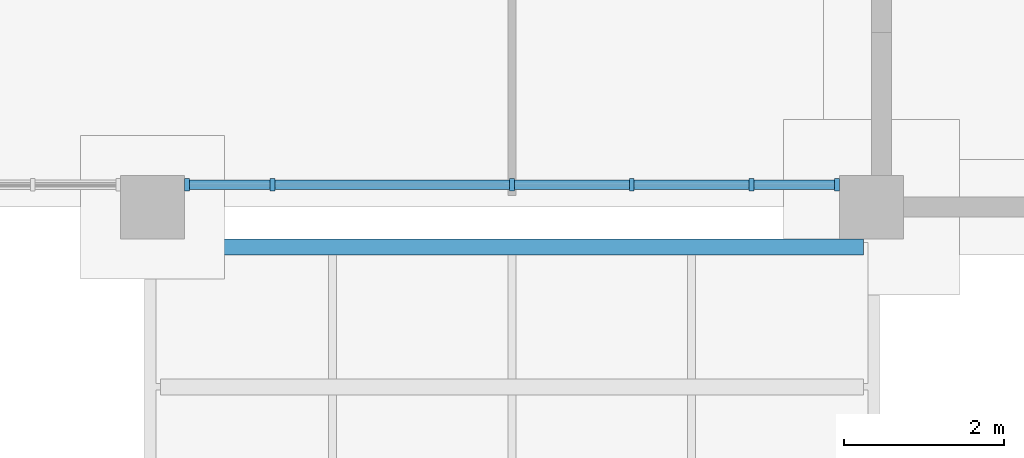
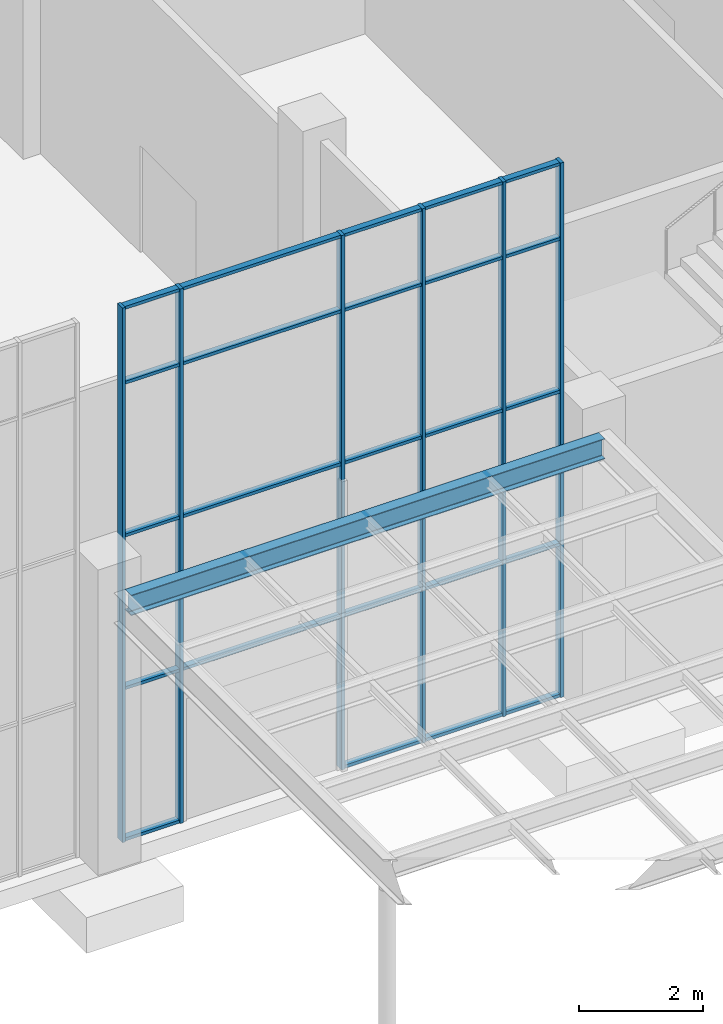
# One storey, part 33 of 86: 30 members, 1 beam, 1 element without a shape of its own.
"""IFC4 building model written with IfcOpenShell, lengths in metres."""

from ifc_helpers import new_model, si_unit, direction, frame, origin, origin_2d, place, context, subcontext, project, spatial, rectangle, i_section, extrude, material, layer, layer_set, material_profile, profile_set, type_object, element, aggregate, save


model = new_model("IFC4")

# Units and contexts
model_context = context("Model", 3, precision=1e-05, world=origin(), true_north=direction((0.0, 1.0)))
body_context = subcontext(model_context, "Body", "Model", "MODEL_VIEW")
ifc_project = project(units=[si_unit("LENGTHUNIT", "METRE"), si_unit("AREAUNIT", "SQUARE_METRE"), si_unit("VOLUMEUNIT", "CUBIC_METRE"), si_unit("PLANEANGLEUNIT", "RADIAN"), si_unit("MASSUNIT", "GRAM", prefix="KILO")], contexts=[model_context])

# Site, building, storey
site_placement = place(None, origin())
site = spatial("IfcSite", under=ifc_project, at=site_placement, CompositionType="ELEMENT")
building_placement = place(site_placement, origin())
building = spatial("IfcBuilding", under=site, at=building_placement, Name="Guidao Yard Department Store", CompositionType="ELEMENT")
storey_placement = place(building_placement, origin())
storey = spatial("IfcBuildingStorey", under=building, at=storey_placement, Name="L00", CompositionType="ELEMENT", Elevation=0.0)

# Curtain wall, members
ifc_material_1 = material(Name="Stainless steel and glass", Category="steel")
ifc_layer = layer(ifc_material_1, 0.159912109375)
ifc_layer_set = layer_set([ifc_layer], Name="Food hall front curtain wall CW3 1500 module")
curtain_wall_type = type_object("IfcCurtainWallType", Name="Food hall front curtain wall CW3 1500 module", PredefinedType="NOTDEFINED", material=ifc_layer_set)
curtain_wall_placement = place(storey_placement, origin())
curtain_wall = element("IfcCurtainWall", 1, at=curtain_wall_placement, inside=storey, type_object=curtain_wall_type, Name="Food hall front curtain wall", PredefinedType="NOTDEFINED")
ifc_material_2 = material(Name="Stainless steel 316", Category="steel")
ifc_material_profile_1 = material_profile(ifc_material_2, rectangle(XDim=0.06005859375, YDim=0.159912109375, at=origin_2d()), Name="Mullion M2 60 x 160 stainless pressure plate")
ifc_profile_set_1 = profile_set([ifc_material_profile_1], Name="Stainless steel 316")
member_type_1 = type_object("IfcMemberType", Name="Mullion M2 60 x 160 stainless pressure plate", PredefinedType="MULLION", material=ifc_profile_set_1)
member_1_placement = place(storey_placement, frame((144.429931640625, 54.280029296875, 0.0), z_axis=(0.0, 0.0, 1.0), x_axis=(-1.0, 0.0, 0.0)))
member_1 = element("IfcMember", 2, at=member_1_placement, type_object=member_type_1, Name="CW-FH-L00-03 mullion 1", PredefinedType="MULLION", context=body_context, shape_type="SweptSolid", body=[
    extrude(rectangle(XDim=0.06005859375, YDim=0.159912109375, at=origin_2d()), origin(), (0.0, 0.0, 1.0), 10.5),
])
member_2_placement = place(storey_placement, frame((145.5, 54.280029296875, 0.0), z_axis=(0.0, 0.0, 1.0), x_axis=(-1.0, 0.0, 0.0)))
member_2 = element("IfcMember", 3, at=member_2_placement, type_object=member_type_1, Name="CW-FH-L00-03 mullion 2", PredefinedType="MULLION", context=body_context, shape_type="SweptSolid", body=[
    extrude(rectangle(XDim=0.06005859375, YDim=0.159912109375, at=origin_2d()), origin(), (0.0, 0.0, 1.0), 10.5),
])
member_3_placement = place(storey_placement, frame((148.5, 54.280029296875, 0.0), z_axis=(0.0, 0.0, 1.0), x_axis=(-1.0, 0.0, 0.0)))
member_3 = element("IfcMember", 4, at=member_3_placement, type_object=member_type_1, Name="CW-FH-L00-03 mullion 3", PredefinedType="MULLION", context=body_context, shape_type="SweptSolid", body=[
    extrude(rectangle(XDim=0.06005859375, YDim=0.159912109375, at=origin_2d()), origin(), (0.0, 0.0, 1.0), 10.5),
])
member_4_placement = place(storey_placement, frame((150.0, 54.280029296875, 0.0), z_axis=(0.0, 0.0, 1.0), x_axis=(-1.0, 0.0, 0.0)))
member_4 = element("IfcMember", 5, at=member_4_placement, type_object=member_type_1, Name="CW-FH-L00-03 mullion 4", PredefinedType="MULLION", context=body_context, shape_type="SweptSolid", body=[
    extrude(rectangle(XDim=0.06005859375, YDim=0.159912109375, at=origin_2d()), origin(), (0.0, 0.0, 1.0), 10.5),
])
member_5_placement = place(storey_placement, frame((151.5, 54.280029296875, 0.0), z_axis=(0.0, 0.0, 1.0), x_axis=(-1.0, 0.0, 0.0)))
member_5 = element("IfcMember", 6, at=member_5_placement, type_object=member_type_1, Name="CW-FH-L00-03 mullion 5", PredefinedType="MULLION", context=body_context, shape_type="SweptSolid", body=[
    extrude(rectangle(XDim=0.06005859375, YDim=0.159912109375, at=origin_2d()), origin(), (0.0, 0.0, 1.0), 10.5),
])
member_6_placement = place(storey_placement, frame((152.570068359375, 54.280029296875, 0.0), z_axis=(0.0, 0.0, 1.0), x_axis=(-1.0, 0.0, 0.0)))
member_6 = element("IfcMember", 7, at=member_6_placement, type_object=member_type_1, Name="CW-FH-L00-03 mullion 6", PredefinedType="MULLION", context=body_context, shape_type="SweptSolid", body=[
    extrude(rectangle(XDim=0.06005859375, YDim=0.159912109375, at=origin_2d()), origin(), (0.0, 0.0, 1.0), 10.5),
])
ifc_material_3 = material(Name="Stainless steel 316", Category="steel")
ifc_material_profile_2 = material_profile(ifc_material_3, rectangle(XDim=0.1201171875, YDim=0.06005859375, at=origin_2d()), Name="Transom T2 60 x 120 stainless pressure plate")
ifc_profile_set_2 = profile_set([ifc_material_profile_2], Name="Stainless steel 316")
member_type_2 = type_object("IfcMemberType", Name="Transom T2 60 x 120 stainless pressure plate", PredefinedType="USERDEFINED", material=ifc_profile_set_2)
member_7_placement = place(storey_placement, frame((145.469970703125, 54.280029296875, 0.030029296875), z_axis=(-1.0, 0.0, 0.0), x_axis=(0.0, -1.0, 0.0)))
member_7 = element("IfcMember", 8, at=member_7_placement, type_object=member_type_2, Name="CW-FH-L00-03 transom 1.1", ObjectType="TRANSOM", PredefinedType="USERDEFINED", context=body_context, shape_type="SweptSolid", body=[
    extrude(rectangle(XDim=0.1201171875, YDim=0.06005859375, at=origin_2d()), origin(), (0.0, 0.0, 1.0), 1.010009765625),
])
member_8_placement = place(storey_placement, frame((145.469970703125, 54.280029296875, 3.0), z_axis=(-1.0, 0.0, 0.0), x_axis=(0.0, -1.0, 0.0)))
member_8 = element("IfcMember", 9, at=member_8_placement, type_object=member_type_2, Name="CW-FH-L00-03 transom 1.2", ObjectType="TRANSOM", PredefinedType="USERDEFINED", context=body_context, shape_type="SweptSolid", body=[
    extrude(rectangle(XDim=0.1201171875, YDim=0.06005859375, at=origin_2d()), origin(), (0.0, 0.0, 1.0), 1.010009765625),
])
member_9_placement = place(storey_placement, frame((145.469970703125, 54.280029296875, 6.0), z_axis=(-1.0, 0.0, 0.0), x_axis=(0.0, -1.0, 0.0)))
member_9 = element("IfcMember", 10, at=member_9_placement, type_object=member_type_2, Name="CW-FH-L00-03 transom 1.3", ObjectType="TRANSOM", PredefinedType="USERDEFINED", context=body_context, shape_type="SweptSolid", body=[
    extrude(rectangle(XDim=0.1201171875, YDim=0.06005859375, at=origin_2d()), origin(), (0.0, 0.0, 1.0), 1.010009765625),
])
member_10_placement = place(storey_placement, frame((145.469970703125, 54.280029296875, 9.0), z_axis=(-1.0, 0.0, 0.0), x_axis=(0.0, -1.0, 0.0)))
member_10 = element("IfcMember", 11, at=member_10_placement, type_object=member_type_2, Name="CW-FH-L00-03 transom 1.4", ObjectType="TRANSOM", PredefinedType="USERDEFINED", context=body_context, shape_type="SweptSolid", body=[
    extrude(rectangle(XDim=0.1201171875, YDim=0.06005859375, at=origin_2d()), origin(), (0.0, 0.0, 1.0), 1.010009765625),
])
member_11_placement = place(storey_placement, frame((145.469970703125, 54.280029296875, 10.469970703125), z_axis=(-1.0, 0.0, 0.0), x_axis=(0.0, -1.0, 0.0)))
member_11 = element("IfcMember", 12, at=member_11_placement, type_object=member_type_2, Name="CW-FH-L00-03 transom 1.5", ObjectType="TRANSOM", PredefinedType="USERDEFINED", context=body_context, shape_type="SweptSolid", body=[
    extrude(rectangle(XDim=0.1201171875, YDim=0.06005859375, at=origin_2d()), origin(), (0.0, 0.0, 1.0), 1.010009765625),
])
member_12_placement = place(storey_placement, frame((148.469970703125, 54.280029296875, 3.0), z_axis=(-1.0, 0.0, 0.0), x_axis=(0.0, -1.0, 0.0)))
member_12 = element("IfcMember", 13, at=member_12_placement, type_object=member_type_2, Name="CW-FH-L00-03 transom 2.2", ObjectType="TRANSOM", PredefinedType="USERDEFINED", context=body_context, shape_type="SweptSolid", body=[
    extrude(rectangle(XDim=0.1201171875, YDim=0.06005859375, at=origin_2d()), origin(), (0.0, 0.0, 1.0), 2.93994140625),
])
member_13_placement = place(storey_placement, frame((148.469970703125, 54.280029296875, 6.0), z_axis=(-1.0, 0.0, 0.0), x_axis=(0.0, -1.0, 0.0)))
member_13 = element("IfcMember", 14, at=member_13_placement, type_object=member_type_2, Name="CW-FH-L00-03 transom 2.3", ObjectType="TRANSOM", PredefinedType="USERDEFINED", context=body_context, shape_type="SweptSolid", body=[
    extrude(rectangle(XDim=0.1201171875, YDim=0.06005859375, at=origin_2d()), origin(), (0.0, 0.0, 1.0), 2.93994140625),
])
member_14_placement = place(storey_placement, frame((148.469970703125, 54.280029296875, 9.0), z_axis=(-1.0, 0.0, 0.0), x_axis=(0.0, -1.0, 0.0)))
member_14 = element("IfcMember", 15, at=member_14_placement, type_object=member_type_2, Name="CW-FH-L00-03 transom 2.4", ObjectType="TRANSOM", PredefinedType="USERDEFINED", context=body_context, shape_type="SweptSolid", body=[
    extrude(rectangle(XDim=0.1201171875, YDim=0.06005859375, at=origin_2d()), origin(), (0.0, 0.0, 1.0), 2.93994140625),
])
member_15_placement = place(storey_placement, frame((148.469970703125, 54.280029296875, 10.469970703125), z_axis=(-1.0, 0.0, 0.0), x_axis=(0.0, -1.0, 0.0)))
member_15 = element("IfcMember", 16, at=member_15_placement, type_object=member_type_2, Name="CW-FH-L00-03 transom 2.5", ObjectType="TRANSOM", PredefinedType="USERDEFINED", context=body_context, shape_type="SweptSolid", body=[
    extrude(rectangle(XDim=0.1201171875, YDim=0.06005859375, at=origin_2d()), origin(), (0.0, 0.0, 1.0), 2.93994140625),
])
member_16_placement = place(storey_placement, frame((149.969970703125, 54.280029296875, 0.030029296875), z_axis=(-1.0, 0.0, 0.0), x_axis=(0.0, -1.0, 0.0)))
member_16 = element("IfcMember", 17, at=member_16_placement, type_object=member_type_2, Name="CW-FH-L00-03 transom 3.1", ObjectType="TRANSOM", PredefinedType="USERDEFINED", context=body_context, shape_type="SweptSolid", body=[
    extrude(rectangle(XDim=0.1201171875, YDim=0.06005859375, at=origin_2d()), origin(), (0.0, 0.0, 1.0), 1.43994140625),
])
member_17_placement = place(storey_placement, frame((149.969970703125, 54.280029296875, 3.0), z_axis=(-1.0, 0.0, 0.0), x_axis=(0.0, -1.0, 0.0)))
member_17 = element("IfcMember", 18, at=member_17_placement, type_object=member_type_2, Name="CW-FH-L00-03 transom 3.2", ObjectType="TRANSOM", PredefinedType="USERDEFINED", context=body_context, shape_type="SweptSolid", body=[
    extrude(rectangle(XDim=0.1201171875, YDim=0.06005859375, at=origin_2d()), origin(), (0.0, 0.0, 1.0), 1.43994140625),
])
member_18_placement = place(storey_placement, frame((149.969970703125, 54.280029296875, 6.0), z_axis=(-1.0, 0.0, 0.0), x_axis=(0.0, -1.0, 0.0)))
member_18 = element("IfcMember", 19, at=member_18_placement, type_object=member_type_2, Name="CW-FH-L00-03 transom 3.3", ObjectType="TRANSOM", PredefinedType="USERDEFINED", context=body_context, shape_type="SweptSolid", body=[
    extrude(rectangle(XDim=0.1201171875, YDim=0.06005859375, at=origin_2d()), origin(), (0.0, 0.0, 1.0), 1.43994140625),
])
member_19_placement = place(storey_placement, frame((149.969970703125, 54.280029296875, 9.0), z_axis=(-1.0, 0.0, 0.0), x_axis=(0.0, -1.0, 0.0)))
member_19 = element("IfcMember", 20, at=member_19_placement, type_object=member_type_2, Name="CW-FH-L00-03 transom 3.4", ObjectType="TRANSOM", PredefinedType="USERDEFINED", context=body_context, shape_type="SweptSolid", body=[
    extrude(rectangle(XDim=0.1201171875, YDim=0.06005859375, at=origin_2d()), origin(), (0.0, 0.0, 1.0), 1.43994140625),
])
member_20_placement = place(storey_placement, frame((149.969970703125, 54.280029296875, 10.469970703125), z_axis=(-1.0, 0.0, 0.0), x_axis=(0.0, -1.0, 0.0)))
member_20 = element("IfcMember", 21, at=member_20_placement, type_object=member_type_2, Name="CW-FH-L00-03 transom 3.5", ObjectType="TRANSOM", PredefinedType="USERDEFINED", context=body_context, shape_type="SweptSolid", body=[
    extrude(rectangle(XDim=0.1201171875, YDim=0.06005859375, at=origin_2d()), origin(), (0.0, 0.0, 1.0), 1.43994140625),
])
member_21_placement = place(storey_placement, frame((151.469970703125, 54.280029296875, 0.030029296875), z_axis=(-1.0, 0.0, 0.0), x_axis=(0.0, -1.0, 0.0)))
member_21 = element("IfcMember", 22, at=member_21_placement, type_object=member_type_2, Name="CW-FH-L00-03 transom 4.1", ObjectType="TRANSOM", PredefinedType="USERDEFINED", context=body_context, shape_type="SweptSolid", body=[
    extrude(rectangle(XDim=0.1201171875, YDim=0.06005859375, at=origin_2d()), origin(), (0.0, 0.0, 1.0), 1.43994140625),
])
member_22_placement = place(storey_placement, frame((151.469970703125, 54.280029296875, 3.0), z_axis=(-1.0, 0.0, 0.0), x_axis=(0.0, -1.0, 0.0)))
member_22 = element("IfcMember", 23, at=member_22_placement, type_object=member_type_2, Name="CW-FH-L00-03 transom 4.2", ObjectType="TRANSOM", PredefinedType="USERDEFINED", context=body_context, shape_type="SweptSolid", body=[
    extrude(rectangle(XDim=0.1201171875, YDim=0.06005859375, at=origin_2d()), origin(), (0.0, 0.0, 1.0), 1.43994140625),
])
member_23_placement = place(storey_placement, frame((151.469970703125, 54.280029296875, 6.0), z_axis=(-1.0, 0.0, 0.0), x_axis=(0.0, -1.0, 0.0)))
member_23 = element("IfcMember", 24, at=member_23_placement, type_object=member_type_2, Name="CW-FH-L00-03 transom 4.3", ObjectType="TRANSOM", PredefinedType="USERDEFINED", context=body_context, shape_type="SweptSolid", body=[
    extrude(rectangle(XDim=0.1201171875, YDim=0.06005859375, at=origin_2d()), origin(), (0.0, 0.0, 1.0), 1.43994140625),
])
member_24_placement = place(storey_placement, frame((151.469970703125, 54.280029296875, 9.0), z_axis=(-1.0, 0.0, 0.0), x_axis=(0.0, -1.0, 0.0)))
member_24 = element("IfcMember", 25, at=member_24_placement, type_object=member_type_2, Name="CW-FH-L00-03 transom 4.4", ObjectType="TRANSOM", PredefinedType="USERDEFINED", context=body_context, shape_type="SweptSolid", body=[
    extrude(rectangle(XDim=0.1201171875, YDim=0.06005859375, at=origin_2d()), origin(), (0.0, 0.0, 1.0), 1.43994140625),
])
member_25_placement = place(storey_placement, frame((151.469970703125, 54.280029296875, 10.469970703125), z_axis=(-1.0, 0.0, 0.0), x_axis=(0.0, -1.0, 0.0)))
member_25 = element("IfcMember", 26, at=member_25_placement, type_object=member_type_2, Name="CW-FH-L00-03 transom 4.5", ObjectType="TRANSOM", PredefinedType="USERDEFINED", context=body_context, shape_type="SweptSolid", body=[
    extrude(rectangle(XDim=0.1201171875, YDim=0.06005859375, at=origin_2d()), origin(), (0.0, 0.0, 1.0), 1.43994140625),
])
member_26_placement = place(storey_placement, frame((152.5400390625, 54.280029296875, 0.030029296875), z_axis=(-1.0, 0.0, 0.0), x_axis=(0.0, -1.0, 0.0)))
member_26 = element("IfcMember", 27, at=member_26_placement, type_object=member_type_2, Name="CW-FH-L00-03 transom 5.1", ObjectType="TRANSOM", PredefinedType="USERDEFINED", context=body_context, shape_type="SweptSolid", body=[
    extrude(rectangle(XDim=0.1201171875, YDim=0.06005859375, at=origin_2d()), origin(), (0.0, 0.0, 1.0), 1.010009765625),
])
member_27_placement = place(storey_placement, frame((152.5400390625, 54.280029296875, 3.0), z_axis=(-1.0, 0.0, 0.0), x_axis=(0.0, -1.0, 0.0)))
member_27 = element("IfcMember", 28, at=member_27_placement, type_object=member_type_2, Name="CW-FH-L00-03 transom 5.2", ObjectType="TRANSOM", PredefinedType="USERDEFINED", context=body_context, shape_type="SweptSolid", body=[
    extrude(rectangle(XDim=0.1201171875, YDim=0.06005859375, at=origin_2d()), origin(), (0.0, 0.0, 1.0), 1.010009765625),
])
member_28_placement = place(storey_placement, frame((152.5400390625, 54.280029296875, 6.0), z_axis=(-1.0, 0.0, 0.0), x_axis=(0.0, -1.0, 0.0)))
member_28 = element("IfcMember", 29, at=member_28_placement, type_object=member_type_2, Name="CW-FH-L00-03 transom 5.3", ObjectType="TRANSOM", PredefinedType="USERDEFINED", context=body_context, shape_type="SweptSolid", body=[
    extrude(rectangle(XDim=0.1201171875, YDim=0.06005859375, at=origin_2d()), origin(), (0.0, 0.0, 1.0), 1.010009765625),
])
member_29_placement = place(storey_placement, frame((152.5400390625, 54.280029296875, 9.0), z_axis=(-1.0, 0.0, 0.0), x_axis=(0.0, -1.0, 0.0)))
member_29 = element("IfcMember", 30, at=member_29_placement, type_object=member_type_2, Name="CW-FH-L00-03 transom 5.4", ObjectType="TRANSOM", PredefinedType="USERDEFINED", context=body_context, shape_type="SweptSolid", body=[
    extrude(rectangle(XDim=0.1201171875, YDim=0.06005859375, at=origin_2d()), origin(), (0.0, 0.0, 1.0), 1.010009765625),
])
member_30_placement = place(storey_placement, frame((152.5400390625, 54.280029296875, 10.469970703125), z_axis=(-1.0, 0.0, 0.0), x_axis=(0.0, -1.0, 0.0)))
member_30 = element("IfcMember", 31, at=member_30_placement, type_object=member_type_2, Name="CW-FH-L00-03 transom 5.5", ObjectType="TRANSOM", PredefinedType="USERDEFINED", context=body_context, shape_type="SweptSolid", body=[
    extrude(rectangle(XDim=0.1201171875, YDim=0.06005859375, at=origin_2d()), origin(), (0.0, 0.0, 1.0), 1.010009765625),
])
aggregate(curtain_wall, [member_1, member_2, member_3, member_4, member_5, member_6, member_7, member_8, member_9, member_10, member_11, member_12, member_13, member_14, member_15, member_16, member_17, member_18, member_19, member_20, member_21, member_22, member_23, member_24, member_25, member_26, member_27, member_28, member_29, member_30])

# Beam
ifc_material_4 = material(Name="Steel Q355B", Category="steel")
ifc_material_profile_3 = material_profile(ifc_material_4, i_section(OverallWidth=0.199951171875, OverallDepth=0.39990234375, WebThickness=0.008056640625, FlangeThickness=0.012939453125, FilletRadius=0.012939453125, at=origin_2d()), Name="HN 400x200x8x13")
ifc_profile_set_3 = profile_set([ifc_material_profile_3], Name="Steel Q355B")
beam_type = type_object("IfcBeamType", Name="Walkway beam HN 400x200x8x13", PredefinedType="BEAM", material=ifc_profile_set_3)
beam_placement = place(storey_placement, frame((144.10009765625, 53.5, 5.25), z_axis=(1.0, 0.0, 0.0), x_axis=(0.0, 1.0, 0.0)))
element("IfcBeam", 32, at=beam_placement, inside=storey, type_object=beam_type, Name="Walkway beam 13", PredefinedType="BEAM", context=body_context, shape_type="SweptSolid", body=[
    extrude(i_section(OverallWidth=0.199951171875, OverallDepth=0.39990234375, WebThickness=0.008056640625, FlangeThickness=0.012939453125, FilletRadius=0.012939453125, at=origin_2d()), origin(), (0.0, 0.0, 1.0), 8.7998046875),
])

save(model, "model.ifc")
